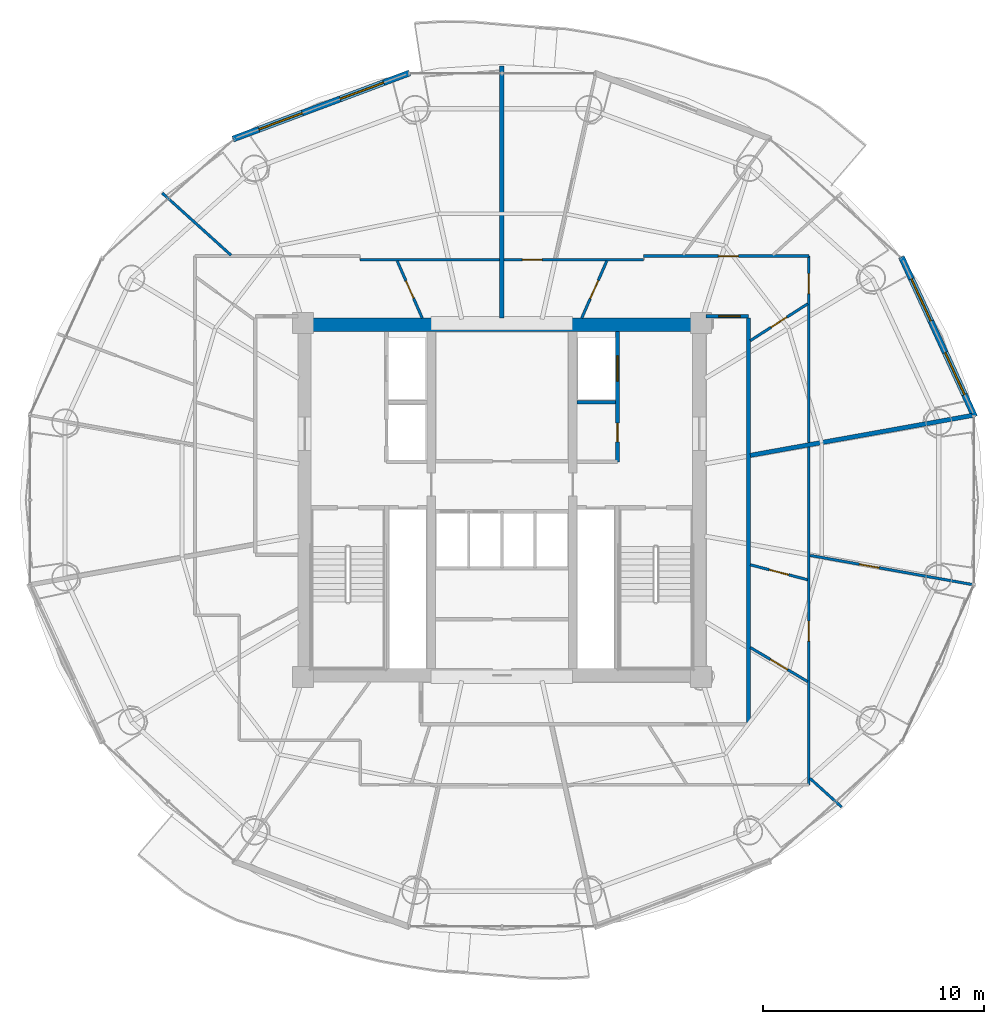
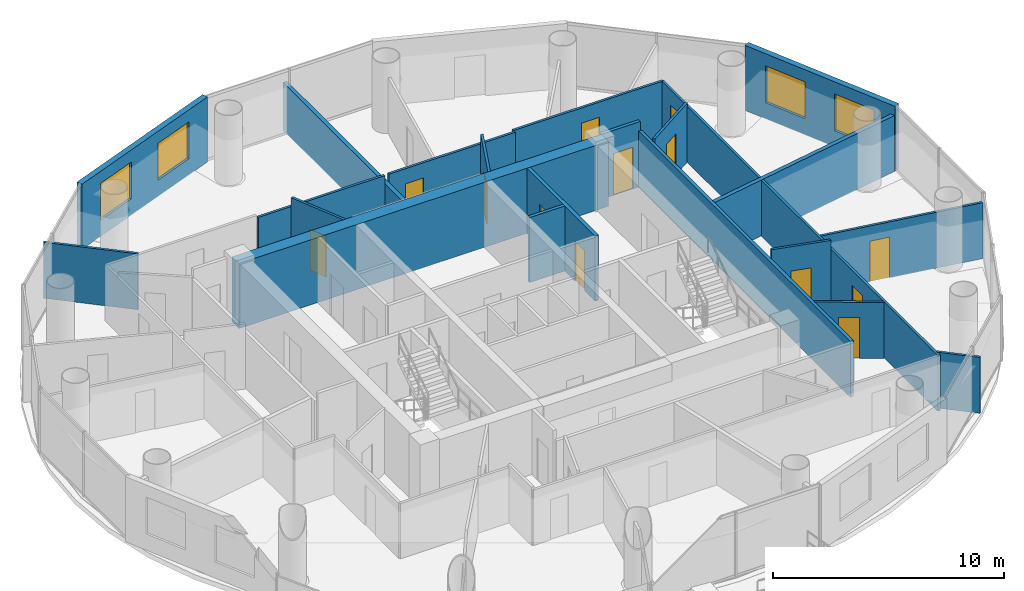
# One storey, part 22 of 27: 22 walls, 13 doors, 4 windows, 17 openings.
"""IFC4 building model written with IfcOpenShell, lengths in metres."""

from ifc_helpers import new_model, si_unit, direction, frame, frame_2d, origin, place, context, subcontext, project, spatial, rectangle, extrude, source, transform, mapped, material, layer, layer_set, type_object, element, fill, save


model = new_model("IFC4")

# Units and contexts
model_context = context("Model", 3, precision=1e-05, world=origin(), true_north=direction((-0.2419218956, 0.970295726276)))
body_context = subcontext(model_context, "Body", "Model", "MODEL_VIEW")
ifc_project = project(units=[si_unit("LENGTHUNIT", "METRE"), si_unit("AREAUNIT", "SQUARE_METRE"), si_unit("VOLUMEUNIT", "CUBIC_METRE"), si_unit("PLANEANGLEUNIT", "RADIAN"), si_unit("MASSUNIT", "GRAM", prefix="KILO")], contexts=[model_context])

# Site, building, storey
site_placement = place(None, origin())
site = spatial("IfcSite", under=ifc_project, at=site_placement, CompositionType="ELEMENT")
building_placement = place(site_placement, origin())
building = spatial("IfcBuilding", under=site, at=building_placement, Name="Cobrevalo Terracotta Tower", CompositionType="ELEMENT")
storey_placement = place(building_placement, frame((0.0, 0.0, 194.89990234375)))
storey = spatial("IfcBuildingStorey", under=building, at=storey_placement, Name="L51", CompositionType="ELEMENT", Elevation=194.89990234375)

# Walls
ifc_material_1 = material(Name="Concrete C55", Category="concrete")
ifc_layer_1 = layer(ifc_material_1, 0.60009765625)
ifc_layer_set_1 = layer_set([ifc_layer_1], Name="Concrete C55")
wall_type_1 = type_object("IfcWallType", Name="Core shear wall 600 mm Concrete C55", PredefinedType="SHEAR", material=ifc_layer_set_1)
wall_1_placement = place(storey_placement, frame((28.77490234375, 34.72509765625, 0.0), z_axis=(0.0, 0.0, 1.0), x_axis=(1.0, 0.0, 0.0)))
element("IfcWall", 1, at=wall_1_placement, inside=storey, type_object=wall_type_1, Name="L51 north core shear wall", PredefinedType="SHEAR", context=body_context, shape_type="SweptSolid", body=[
    extrude(rectangle(XDim=18.4501953125, YDim=0.60009765625, at=frame_2d((9.22509765625, 0.0))), origin(), (0.0, 0.0, 1.0), 3.43505859375),
])
ifc_material_2 = material(Name="Gypsum board on steel stud", Category="steel")
ifc_layer_2 = layer(ifc_material_2, 0.159912109375)
ifc_layer_set_2 = layer_set([ifc_layer_2], Name="Gypsum board on steel stud")
wall_type_2 = type_object("IfcWallType", Name="Fire-rated corridor acoustic partition wall 160 mm", PredefinedType="PARTITIONING", material=ifc_layer_set_2)
wall_2_placement = place(storey_placement, frame((41.389892578125, 31.219970703125, 0.0), z_axis=(0.0, 0.0, 1.0), x_axis=(1.0, 0.0, 0.0)))
element("IfcWall", 2, at=wall_2_placement, inside=storey, type_object=wall_type_2, Name="L51 interior partition IW-L51-FF2-M", PredefinedType="PARTITIONING", context=body_context, shape_type="SweptSolid", body=[
    extrude(rectangle(XDim=1.75, YDim=0.159912109375, at=frame_2d((0.875, 0.0))), origin(), (0.0, 0.0, 1.0), 3.43505859375),
])
wall_3_placement = place(storey_placement, frame((49.155029296875, 16.72509765625, 0.0), z_axis=(0.0, 0.0, 1.0), x_axis=(0.0, 1.0, 0.0)))
element("IfcWall", 3, at=wall_3_placement, inside=storey, type_object=wall_type_2, Name="L51 interior partition IW-L51-COR-E", PredefinedType="PARTITIONING", context=body_context, shape_type="SweptSolid", body=[
    extrude(rectangle(XDim=18.2998046875, YDim=0.159912109375, at=frame_2d((9.14990234375, 0.0))), origin(), (0.0, 0.0, 1.0), 2.951171875),
])

# Wall, opening, door
wall_4_placement = place(storey_placement, frame((47.22509765625, 35.10498046875, 0.0), z_axis=(0.0, 0.0, 1.0), x_axis=(1.0, 0.0, 0.0)))
wall_4 = element("IfcWall", 4, at=wall_4_placement, inside=storey, type_object=wall_type_2, Name="L51 interior partition IW-L51-COR-EN-CAP", PredefinedType="PARTITIONING", context=body_context, shape_type="SweptSolid", body=[
    extrude(rectangle(XDim=1.929931640625, YDim=0.159912109375, at=frame_2d((0.96484375, 0.0))), origin(), (0.0, 0.0, 1.0), 3.43505859375),
])
opening_1_placement = place(wall_4_placement, frame((0.580078125, 0.0, 0.0)))
opening_1 = element("IfcOpeningElement", 5, at=opening_1_placement, cuts=wall_4, Name="Opening ID-05", PredefinedType="OPENING", context=body_context, shape_type="SweptSolid", body=[
    extrude(rectangle(XDim=0.97998046875, YDim=2.199951171875, at=frame_2d((0.489990234375, 1.10009765625))), frame((0.0, 0.08984375, 0.0), z_axis=(0.0, -1.0, 0.0), x_axis=(1.0, 0.0, 0.0)), (0.0, 0.0, 1.0), 0.179931640625),
])
ifc_material_3 = material(Name="Solid hardwood timber", Category="wood")
door_type_1 = type_object("IfcDoorType", Name="Residence entrance fire-rated acoustic timber door 980x2200 EI 60", OperationType="NOTDEFINED", PredefinedType="DOOR", material=ifc_material_3)
shared_shape_1 = source(origin(), body_context, "Body", "SweptSolid", [
    extrude(rectangle(XDim=0.97998046875, YDim=2.199951171875, at=frame_2d((0.489990234375, 1.10009765625))), frame((0.0, 0.02490234375, 0.0), z_axis=(0.0, -1.0, 0.0), x_axis=(1.0, 0.0, 0.0)), (0.0, 0.0, 1.0), 0.050048828125),
])
door_1_placement = place(opening_1_placement, origin())
door_1 = element("IfcDoor", 6, at=door_1_placement, inside=storey, type_object=door_type_1, Name="Flat L51A fire-rated apartment entrance door", OperationType="SINGLE_SWING_RIGHT", OverallHeight=2.199951171875, OverallWidth=0.97998046875, PredefinedType="DOOR", context=body_context, shape_type="MappedRepresentation", body=[
    mapped(shared_shape_1, transform((0.0, 0.0, 0.0), scale=1.0)),
])
fill(opening_1, door_1)

# Wall, openings, doors
ifc_layer_3 = layer(ifc_material_2, 0.179931640625)
ifc_layer_set_3 = layer_set([ifc_layer_3], Name="Gypsum board on steel stud")
wall_type_3 = type_object("IfcWallType", Name="Fire-rated shaft & lobby acoustic partition wall 180 mm", PredefinedType="PARTITIONING", material=ifc_layer_set_3)
wall_5_placement = place(storey_placement, frame((43.22998046875, 28.52001953125, 0.0), z_axis=(0.0, 0.0, 1.0), x_axis=(0.0, 1.0, 0.0)))
wall_5 = element("IfcWall", 7, at=wall_5_placement, inside=storey, type_object=wall_type_3, Name="L51 interior partition IW-L51-FF2-E", PredefinedType="PARTITIONING", context=body_context, shape_type="SweptSolid", body=[
    extrude(rectangle(XDim=5.905029296875, YDim=0.179931640625, at=frame_2d((2.95263671875, 0.0))), origin(), (0.0, 0.0, 1.0), 3.43505859375),
])
opening_2_placement = place(wall_5_placement, frame((0.905029296875, 0.0, 0.0)))
opening_2 = element("IfcOpeningElement", 8, at=opening_2_placement, cuts=wall_5, Name="Opening ID-22", PredefinedType="OPENING", context=body_context, shape_type="SweptSolid", body=[
    extrude(rectangle(XDim=0.85009765625, YDim=2.10009765625, at=frame_2d((0.425048828125, 1.050048828125))), frame((0.0, 0.10009765625, 0.0), z_axis=(0.0, -1.0, 0.0), x_axis=(1.0, 0.0, 0.0)), (0.0, 0.0, 1.0), 0.199951171875),
])
opening_3_placement = place(wall_5_placement, frame((3.655029296875, 0.0, 0.0)))
opening_3 = element("IfcOpeningElement", 9, at=opening_3_placement, cuts=wall_5, Name="Opening LD-02", PredefinedType="OPENING", context=body_context, shape_type="SweptSolid", body=[
    extrude(rectangle(XDim=1.14990234375, YDim=2.199951171875, at=frame_2d((0.574951171875, 1.10009765625))), frame((0.0, 0.10009765625, 0.0), z_axis=(0.0, -1.0, 0.0), x_axis=(1.0, 0.0, 0.0)), (0.0, 0.0, 1.0), 0.199951171875),
])
ifc_material_4 = material(Name="Powder-coated steel", Category="steel")
door_type_2 = type_object("IfcDoorType", Name="Riser shaft & meter closet fire access door 850x2100 EI 60", OperationType="NOTDEFINED", PredefinedType="DOOR", material=ifc_material_4)
shared_shape_2 = source(origin(), body_context, "Body", "SweptSolid", [
    extrude(rectangle(XDim=0.85009765625, YDim=2.10009765625, at=frame_2d((0.425048828125, 1.050048828125))), frame((0.0, 0.02490234375, 0.0), z_axis=(0.0, -1.0, 0.0), x_axis=(1.0, 0.0, 0.0)), (0.0, 0.0, 1.0), 0.050048828125),
])
door_2_placement = place(opening_2_placement, frame((0.85009765625, 0.0, 0.0), z_axis=(0.0, 0.0, 1.0), x_axis=(-1.0, 0.0, 0.0)))
door_2 = element("IfcDoor", 10, at=door_2_placement, inside=storey, type_object=door_type_2, Name="L51 housekeeping store door", OperationType="SINGLE_SWING_RIGHT", OverallHeight=2.10009765625, OverallWidth=0.85009765625, PredefinedType="DOOR", context=body_context, shape_type="MappedRepresentation", body=[
    mapped(shared_shape_2, transform((0.0, 0.0, 0.0), scale=1.0)),
])
fill(opening_2, door_2)
ifc_material_5 = material(Name="Brushed stainless steel", Category="steel")
door_type_3 = type_object("IfcDoorType", Name="Firefighting lift landing bi-parting sliding door 1150x2200 EI 120", OperationType="DOUBLE_DOOR_SLIDING", PredefinedType="DOOR", material=ifc_material_5)
shared_shape_3 = source(origin(), body_context, "Body", "SweptSolid", [
    extrude(rectangle(XDim=1.14990234375, YDim=2.199951171875, at=frame_2d((0.574951171875, 1.10009765625))), frame((0.0, 0.02490234375, 0.0), z_axis=(0.0, -1.0, 0.0), x_axis=(1.0, 0.0, 0.0)), (0.0, 0.0, 1.0), 0.050048828125),
])
door_3_placement = place(opening_3_placement, origin())
door_3 = element("IfcDoor", 11, at=door_3_placement, inside=storey, type_object=door_type_3, Name="L51 lift landing door FF-2", OperationType="DOUBLE_DOOR_SLIDING", OverallHeight=2.199951171875, OverallWidth=1.14990234375, PredefinedType="DOOR", context=body_context, shape_type="MappedRepresentation", body=[
    mapped(shared_shape_3, transform((0.0, 0.0, 0.0), scale=1.0)),
])
fill(opening_3, door_3)

# Walls
ifc_material_6 = material(Name="Autoclaved aerated concrete block", Category="concrete")
ifc_layer_4 = layer(ifc_material_6, 0.199951171875)
ifc_layer_set_4 = layer_set([ifc_layer_4], Name="Autoclaved aerated concrete block")
wall_type_4 = type_object("IfcWallType", Name="Fire-rated stair, shaft & demising masonry wall 200 mm", PredefinedType="PARTITIONING", material=ifc_layer_set_4)
wall_6_placement = place(storey_placement, frame((49.237060546875, 28.81982421875, 0.0), z_axis=(0.0, 0.0, 1.0), x_axis=(0.984224859606, 0.176922089446, 0.0)))
element("IfcWall", 12, at=wall_6_placement, inside=storey, type_object=wall_type_4, Name="L51 interior partition IW-L51-DEM-1", PredefinedType="PARTITIONING", context=body_context, shape_type="SweptSolid", body=[
    extrude(rectangle(XDim=10.200439453125, YDim=0.199951171875, at=frame_2d((5.10009765625, 0.0))), origin(), (0.0, 0.0, 1.0), 2.951171875),
])
wall_7_placement = place(storey_placement, frame((38.0, 35.027099609375, 0.0), z_axis=(0.0, 0.0, 1.0), x_axis=(0.0, 1.0, 0.0)))
element("IfcWall", 13, at=wall_7_placement, inside=storey, type_object=wall_type_4, Name="L51 interior partition IW-L51-DEM-2", PredefinedType="PARTITIONING", context=body_context, shape_type="SweptSolid", body=[
    extrude(rectangle(XDim=11.412841796875, YDim=0.199951171875, at=frame_2d((5.70654296875, 0.0))), origin(), (0.0, 0.0, 1.0), 2.52001953125),
])

# Wall, openings, windows
ifc_layer_5 = layer(ifc_material_6, 0.280029296875)
ifc_layer_set_5 = layer_set([ifc_layer_5], Name="Autoclaved aerated concrete block")
wall_type_5 = type_object("IfcWallType", Name="Insulated tower spandrel & pier wall 280 mm with terracotta rainscreen", PredefinedType="SOLIDWALL", material=ifc_layer_set_5)
wall_8_placement = place(storey_placement, frame((59.385009765625, 30.564697265625, 0.0), z_axis=(0.0, 0.0, 1.0), x_axis=(-0.416717018135, 0.909036262641, 0.0)))
wall_8 = element("IfcWall", 14, at=wall_8_placement, inside=storey, type_object=wall_type_5, Name="L51 terracotta rainscreen pier wall S01", PredefinedType="SOLIDWALL", context=body_context, shape_type="SweptSolid", body=[
    extrude(rectangle(XDim=7.960205078125, YDim=0.280029296875, at=frame_2d((3.97998046875, 0.0))), origin(), (0.0, 0.0, 1.0), 3.43505859375),
])
opening_4_placement = place(wall_8_placement, frame((1.099365234375, 0.0, 0.85009765625)))
opening_4 = element("IfcOpeningElement", 15, at=opening_4_placement, cuts=wall_8, Name="Opening WN-10", PredefinedType="OPENING", context=body_context, shape_type="SweptSolid", body=[
    extrude(rectangle(XDim=2.10009765625, YDim=1.949951171875, at=frame_2d((1.050048828125, 0.97509765625))), frame((0.0, 0.14990234375, 0.0), z_axis=(0.0, -1.0, 0.0), x_axis=(1.0, 0.0, 0.0)), (0.0, 0.0, 1.0), 0.300048828125),
])
opening_5_placement = place(wall_8_placement, frame((4.760986328125, 0.0, 0.85009765625)))
opening_5 = element("IfcOpeningElement", 16, at=opening_5_placement, cuts=wall_8, Name="Opening WN-10", PredefinedType="OPENING", context=body_context, shape_type="SweptSolid", body=[
    extrude(rectangle(XDim=2.10009765625, YDim=1.949951171875, at=frame_2d((1.050048828125, 0.97509765625))), frame((0.0, 0.14990234375, 0.0), z_axis=(0.0, -1.0, 0.0), x_axis=(1.0, 0.0, 0.0)), (0.0, 0.0, 1.0), 0.300048828125),
])
ifc_material_7 = material(Name="Solar-control low-E double glazing", Category="glass")
window_type = type_object("IfcWindowType", Name="Wide panoramic low-E aluminium window 2100x1950", PartitioningType="SINGLE_PANEL", PredefinedType="WINDOW", material=ifc_material_7)
shared_shape_4 = source(origin(), body_context, "Body", "SweptSolid", [
    extrude(rectangle(XDim=2.10009765625, YDim=1.949951171875, at=frame_2d((1.050048828125, 0.97509765625))), frame((0.0, 0.030029296875, 0.0), z_axis=(0.0, -1.0, 0.0), x_axis=(1.0, 0.0, 0.0)), (0.0, 0.0, 1.0), 0.06005859375),
])
window_1_placement = place(opening_4_placement, origin())
window_1 = element("IfcWindow", 17, at=window_1_placement, inside=storey, type_object=window_type, Name="L51 suite window S01A", OverallHeight=1.949951171875, OverallWidth=2.10009765625, PartitioningType="SINGLE_PANEL", PredefinedType="WINDOW", context=body_context, shape_type="MappedRepresentation", body=[
    mapped(shared_shape_4, transform((0.0, 0.0, 0.0), scale=1.0)),
])
fill(opening_4, window_1)
window_2_placement = place(opening_5_placement, origin())
window_2 = element("IfcWindow", 18, at=window_2_placement, inside=storey, type_object=window_type, Name="L51 suite window S01B", OverallHeight=1.949951171875, OverallWidth=2.10009765625, PartitioningType="SINGLE_PANEL", PredefinedType="WINDOW", context=body_context, shape_type="MappedRepresentation", body=[
    mapped(shared_shape_4, transform((0.0, 0.0, 0.0), scale=1.0)),
])
fill(opening_5, window_2)

wall_9_placement = place(storey_placement, frame((33.827880859375, 46.1201171875, 0.0), z_axis=(0.0, 0.0, 1.0), x_axis=(-0.936556918375, -0.350515532672, 0.0)))
wall_9 = element("IfcWall", 19, at=wall_9_placement, inside=storey, type_object=wall_type_5, Name="L51 terracotta rainscreen pier wall S05", PredefinedType="SOLIDWALL", context=body_context, shape_type="SweptSolid", body=[
    extrude(rectangle(XDim=8.539306640625, YDim=0.280029296875, at=frame_2d((4.26953125, 0.0))), origin(), (0.0, 0.0, 1.0), 3.43505859375),
])
opening_6_placement = place(wall_9_placement, frame((1.255615234375, 0.0, 0.85009765625)))
opening_6 = element("IfcOpeningElement", 20, at=opening_6_placement, cuts=wall_9, Name="Opening WN-10", PredefinedType="OPENING", context=body_context, shape_type="SweptSolid", body=[
    extrude(rectangle(XDim=2.10009765625, YDim=1.949951171875, at=frame_2d((1.050048828125, 0.97509765625))), frame((0.0, 0.14990234375, 0.0), z_axis=(0.0, -1.0, 0.0), x_axis=(1.0, 0.0, 0.0)), (0.0, 0.0, 1.0), 0.300048828125),
])
opening_7_placement = place(wall_9_placement, frame((5.18359375, 0.0, 0.85009765625)))
opening_7 = element("IfcOpeningElement", 21, at=opening_7_placement, cuts=wall_9, Name="Opening WN-10", PredefinedType="OPENING", context=body_context, shape_type="SweptSolid", body=[
    extrude(rectangle(XDim=2.10009765625, YDim=1.949951171875, at=frame_2d((1.050048828125, 0.97509765625))), frame((0.0, 0.14990234375, 0.0), z_axis=(0.0, -1.0, 0.0), x_axis=(1.0, 0.0, 0.0)), (0.0, 0.0, 1.0), 0.300048828125),
])
window_3_placement = place(opening_6_placement, origin())
window_3 = element("IfcWindow", 22, at=window_3_placement, inside=storey, type_object=window_type, Name="L51 suite window S05A", OverallHeight=1.949951171875, OverallWidth=2.10009765625, PartitioningType="SINGLE_PANEL", PredefinedType="WINDOW", context=body_context, shape_type="MappedRepresentation", body=[
    mapped(shared_shape_4, transform((0.0, 0.0, 0.0), scale=1.0)),
])
fill(opening_6, window_3)
window_4_placement = place(opening_7_placement, origin())
window_4 = element("IfcWindow", 23, at=window_4_placement, inside=storey, type_object=window_type, Name="L51 suite window S05B", OverallHeight=1.949951171875, OverallWidth=2.10009765625, PartitioningType="SINGLE_PANEL", PredefinedType="WINDOW", context=body_context, shape_type="MappedRepresentation", body=[
    mapped(shared_shape_4, transform((0.0, 0.0, 0.0), scale=1.0)),
])
fill(opening_7, window_4)

# Wall, opening, door
ifc_layer_6 = layer(ifc_material_2, 0.1201171875)
ifc_layer_set_6 = layer_set([ifc_layer_6], Name="Gypsum board on steel stud")
wall_type_6 = type_object("IfcWallType", Name="Residential internal acoustic stud partition 120 mm", PredefinedType="PARTITIONING", material=ifc_layer_set_6)
wall_10_placement = place(storey_placement, frame((38.10205078125, 37.675048828125, 0.0), z_axis=(0.0, 0.0, 1.0), x_axis=(1.0, 0.0, 0.0)))
wall_10 = element("IfcWall", 24, at=wall_10_placement, inside=storey, type_object=wall_type_6, Name="L51 interior partition IW-L51-U1-RING0_0", PredefinedType="PARTITIONING", context=body_context, shape_type="SweptSolid", body=[
    extrude(rectangle(XDim=6.31298828125, YDim=0.1201171875, at=frame_2d((3.156494140625, 0.0))), origin(), (0.0, 0.0, 1.0), 2.951171875),
])
opening_8_placement = place(wall_10_placement, frame((0.81884765625, 0.0, 0.0)))
opening_8 = element("IfcOpeningElement", 25, at=opening_8_placement, cuts=wall_10, Name="Opening ID-12", PredefinedType="OPENING", context=body_context, shape_type="SweptSolid", body=[
    extrude(rectangle(XDim=0.89990234375, YDim=2.14990234375, at=frame_2d((0.449951171875, 1.074951171875))), frame((0.0, 0.070068359375, 0.0), z_axis=(0.0, -1.0, 0.0), x_axis=(1.0, 0.0, 0.0)), (0.0, 0.0, 1.0), 0.14013671875),
])
ifc_material_8 = material(Name="Engineered timber", Category="wood")
door_type_4 = type_object("IfcDoorType", Name="Internal residence & suite timber door 900x2150", OperationType="NOTDEFINED", PredefinedType="DOOR", material=ifc_material_8)
shared_shape_5 = source(origin(), body_context, "Body", "SweptSolid", [
    extrude(rectangle(XDim=0.89990234375, YDim=2.14990234375, at=frame_2d((0.449951171875, 1.074951171875))), frame((0.0, 0.02490234375, 0.0), z_axis=(0.0, -1.0, 0.0), x_axis=(1.0, 0.0, 0.0)), (0.0, 0.0, 1.0), 0.050048828125),
])
door_4_placement = place(opening_8_placement, origin())
door_4 = element("IfcDoor", 26, at=door_4_placement, inside=storey, type_object=door_type_4, Name="Flat L51A Penthouse Family Lounge internal door", OperationType="SINGLE_SWING_RIGHT", OverallHeight=2.14990234375, OverallWidth=0.89990234375, PredefinedType="DOOR", context=body_context, shape_type="MappedRepresentation", body=[
    mapped(shared_shape_5, transform((0.0, 0.0, 0.0), scale=1.0)),
])
fill(opening_8, door_4)

wall_11_placement = place(storey_placement, frame((44.4150390625, 37.8349609375, 0.0), z_axis=(0.0, 0.0, 1.0), x_axis=(1.0, 0.0, 0.0)))
wall_11 = element("IfcWall", 27, at=wall_11_placement, inside=storey, type_object=wall_type_6, Name="L51 interior partition IW-L51-U1-RING2_0", PredefinedType="PARTITIONING", context=body_context, shape_type="SweptSolid", body=[
    extrude(rectangle(XDim=7.469970703125, YDim=0.1201171875, at=frame_2d((3.73486328125, 0.0))), origin(), (0.0, 0.0, 1.0), 2.951171875),
])
opening_9_placement = place(wall_11_placement, frame((3.37939453125, 0.0, 0.0)))
opening_9 = element("IfcOpeningElement", 28, at=opening_9_placement, cuts=wall_11, Name="Opening ID-12", PredefinedType="OPENING", context=body_context, shape_type="SweptSolid", body=[
    extrude(rectangle(XDim=0.89990234375, YDim=2.14990234375, at=frame_2d((0.449951171875, 1.074951171875))), frame((0.0, 0.070068359375, 0.0), z_axis=(0.0, -1.0, 0.0), x_axis=(1.0, 0.0, 0.0)), (0.0, 0.0, 1.0), 0.14013671875),
])
door_5_placement = place(opening_9_placement, origin())
door_5 = element("IfcDoor", 29, at=door_5_placement, inside=storey, type_object=door_type_4, Name="Flat L51A Master Bedroom internal door", OperationType="SINGLE_SWING_LEFT", OverallHeight=2.14990234375, OverallWidth=0.89990234375, PredefinedType="DOOR", context=body_context, shape_type="MappedRepresentation", body=[
    mapped(shared_shape_5, transform((0.0, 0.0, 0.0), scale=1.0)),
])
fill(opening_9, door_5)

wall_12_placement = place(storey_placement, frame((51.885009765625, 37.8349609375, 0.0), z_axis=(0.0, 0.0, 1.0), x_axis=(0.0, -1.0, 0.0)))
wall_12 = element("IfcWall", 30, at=wall_12_placement, inside=storey, type_object=wall_type_6, Name="L51 interior partition IW-L51-U1-RING3_0", PredefinedType="PARTITIONING", context=body_context, shape_type="SweptSolid", body=[
    extrude(rectangle(XDim=8.43701171875, YDim=0.1201171875, at=frame_2d((4.218505859375, 0.0))), origin(), (0.0, 0.0, 1.0), 2.951171875),
])
opening_10_placement = place(wall_12_placement, frame((0.7958984375, 0.0, 0.0)))
opening_10 = element("IfcOpeningElement", 31, at=opening_10_placement, cuts=wall_12, Name="Opening ID-12", PredefinedType="OPENING", context=body_context, shape_type="SweptSolid", body=[
    extrude(rectangle(XDim=0.89990234375, YDim=2.14990234375, at=frame_2d((0.449951171875, 1.074951171875))), frame((0.0, 0.070068359375, 0.0), z_axis=(0.0, -1.0, 0.0), x_axis=(1.0, 0.0, 0.0)), (0.0, 0.0, 1.0), 0.14013671875),
])
door_6_placement = place(opening_10_placement, origin())
door_6 = element("IfcDoor", 32, at=door_6_placement, inside=storey, type_object=door_type_4, Name="Flat L51A Living and Dining Room internal door", OperationType="SINGLE_SWING_RIGHT", OverallHeight=2.14990234375, OverallWidth=0.89990234375, PredefinedType="DOOR", context=body_context, shape_type="MappedRepresentation", body=[
    mapped(shared_shape_5, transform((0.0, 0.0, 0.0), scale=1.0)),
])
fill(opening_10, door_6)

wall_13_placement = place(storey_placement, frame((49.236572265625, 34.00927734375, 0.0), z_axis=(0.0, 0.0, 1.0), x_axis=(0.841651322174, 0.540021343915, 0.0)))
wall_13 = element("IfcWall", 33, at=wall_13_placement, inside=storey, type_object=wall_type_6, Name="L51 interior partition IW-L51-U1-IRAD1", PredefinedType="PARTITIONING", context=body_context, shape_type="SweptSolid", body=[
    extrude(rectangle(XDim=3.084716796875, YDim=0.1201171875, at=frame_2d((1.54248046875, 0.0))), origin(), (0.0, 0.0, 1.0), 3.110107421875),
])
opening_11_placement = place(wall_13_placement, frame((1.1123046875, 0.0, 0.0)))
opening_11 = element("IfcOpeningElement", 34, at=opening_11_placement, cuts=wall_13, Name="Opening ID-19", PredefinedType="OPENING", context=body_context, shape_type="SweptSolid", body=[
    extrude(rectangle(XDim=0.860107421875, YDim=2.14990234375, at=frame_2d((0.43017578125, 1.074951171875))), frame((0.0, 0.070068359375, 0.0), z_axis=(0.0, -1.0, 0.0), x_axis=(1.0, 0.0, 0.0)), (0.0, 0.0, 1.0), 0.14013671875),
])
ifc_material_9 = material(Name="Moisture-sealed timber", Category="wood")
door_type_5 = type_object("IfcDoorType", Name="Suite bathroom internal timber door 860x2150", OperationType="NOTDEFINED", PredefinedType="DOOR", material=ifc_material_9)
shared_shape_6 = source(origin(), body_context, "Body", "SweptSolid", [
    extrude(rectangle(XDim=0.860107421875, YDim=2.14990234375, at=frame_2d((0.43017578125, 1.074951171875))), frame((0.0, 0.02490234375, 0.0), z_axis=(0.0, -1.0, 0.0), x_axis=(1.0, 0.0, 0.0)), (0.0, 0.0, 1.0), 0.050048828125),
])
door_7_placement = place(opening_11_placement, frame((0.860107421875, 0.0, 0.0), z_axis=(0.0, 0.0, 1.0), x_axis=(-1.0, 0.0, 0.0)))
door_7 = element("IfcDoor", 35, at=door_7_placement, inside=storey, type_object=door_type_5, Name="Flat L51A Primary Bathroom internal door", OperationType="SINGLE_SWING_LEFT", OverallHeight=2.14990234375, OverallWidth=0.860107421875, PredefinedType="DOOR", context=body_context, shape_type="MappedRepresentation", body=[
    mapped(shared_shape_6, transform((0.0, 0.0, 0.0), scale=1.0)),
])
fill(opening_11, door_7)

wall_14_placement = place(storey_placement, frame((41.609619140625, 35.02685546875, 0.0), z_axis=(0.0, 0.0, 1.0), x_axis=(0.401859508224, 0.915701335398, 0.0)))
wall_14 = element("IfcWall", 36, at=wall_14_placement, inside=storey, type_object=wall_type_6, Name="L51 interior partition IW-L51-U1-IRAD2", PredefinedType="PARTITIONING", context=body_context, shape_type="SweptSolid", body=[
    extrude(rectangle(XDim=2.829833984375, YDim=0.1201171875, at=frame_2d((1.4150390625, 0.0))), origin(), (0.0, 0.0, 1.0), 3.43505859375),
])
opening_12_placement = place(wall_14_placement, frame((0.96484375, 0.0, 0.0)))
opening_12 = element("IfcOpeningElement", 37, at=opening_12_placement, cuts=wall_14, Name="Opening ID-12", PredefinedType="OPENING", context=body_context, shape_type="SweptSolid", body=[
    extrude(rectangle(XDim=0.89990234375, YDim=2.14990234375, at=frame_2d((0.449951171875, 1.074951171875))), frame((0.0, 0.070068359375, 0.0), z_axis=(0.0, -1.0, 0.0), x_axis=(1.0, 0.0, 0.0)), (0.0, 0.0, 1.0), 0.14013671875),
])
door_8_placement = place(opening_12_placement, origin())
door_8 = element("IfcDoor", 38, at=door_8_placement, inside=storey, type_object=door_type_4, Name="Flat L51A Kitchen internal door", OperationType="SINGLE_SWING_LEFT", OverallHeight=2.14990234375, OverallWidth=0.89990234375, PredefinedType="DOOR", context=body_context, shape_type="MappedRepresentation", body=[
    mapped(shared_shape_5, transform((0.0, 0.0, 0.0), scale=1.0)),
])
fill(opening_12, door_8)

# Walls
wall_15_placement = place(storey_placement, frame((31.5849609375, 37.675048828125, 0.0), z_axis=(0.0, 0.0, 1.0), x_axis=(1.0, 0.0, 0.0)))
element("IfcWall", 39, at=wall_15_placement, inside=storey, type_object=wall_type_6, Name="L51 interior partition IW-L51-U2-RING3_0", PredefinedType="PARTITIONING", context=body_context, shape_type="SweptSolid", body=[
    extrude(rectangle(XDim=6.31298828125, YDim=0.1201171875, at=frame_2d((3.156494140625, 0.0))), origin(), (0.0, 0.0, 1.0), 2.951171875),
])
wall_16_placement = place(storey_placement, frame((25.74267578125, 37.87646484375, 0.0), z_axis=(0.0, 0.0, 1.0), x_axis=(-0.741943837234, 0.670462036502, 0.0)))
element("IfcWall", 40, at=wall_16_placement, inside=storey, type_object=wall_type_6, Name="L51 interior partition IW-L51-U2-ORAD1", PredefinedType="PARTITIONING", context=body_context, shape_type="SweptSolid", body=[
    extrude(rectangle(XDim=4.194091796875, YDim=0.1201171875, at=frame_2d((2.09716796875, 0.0))), origin(), (0.0, 0.0, 1.0), 2.951171875),
])

# Wall, opening, door
wall_17_placement = place(storey_placement, frame((34.3974609375, 35.02685546875, 0.0), z_axis=(0.0, 0.0, 1.0), x_axis=(-0.401135725485, 0.916018629581, 0.0)))
wall_17 = element("IfcWall", 41, at=wall_17_placement, inside=storey, type_object=wall_type_6, Name="L51 interior partition IW-L51-U2-IRAD1", PredefinedType="PARTITIONING", context=body_context, shape_type="SweptSolid", body=[
    extrude(rectangle(XDim=2.828857421875, YDim=0.1201171875, at=frame_2d((1.41455078125, 0.0))), origin(), (0.0, 0.0, 1.0), 3.43505859375),
])
opening_13_placement = place(wall_17_placement, frame((0.984619140625, 0.0, 0.0)))
opening_13 = element("IfcOpeningElement", 42, at=opening_13_placement, cuts=wall_17, Name="Opening ID-19", PredefinedType="OPENING", context=body_context, shape_type="SweptSolid", body=[
    extrude(rectangle(XDim=0.860107421875, YDim=2.14990234375, at=frame_2d((0.43017578125, 1.074951171875))), frame((0.0, 0.070068359375, 0.0), z_axis=(0.0, -1.0, 0.0), x_axis=(1.0, 0.0, 0.0)), (0.0, 0.0, 1.0), 0.14013671875),
])
door_9_placement = place(opening_13_placement, frame((0.860107421875, 0.0, 0.0), z_axis=(0.0, 0.0, 1.0), x_axis=(-1.0, 0.0, 0.0)))
door_9 = element("IfcDoor", 43, at=door_9_placement, inside=storey, type_object=door_type_5, Name="Flat L51B Primary Bathroom internal door", OperationType="SINGLE_SWING_RIGHT", OverallHeight=2.14990234375, OverallWidth=0.860107421875, PredefinedType="DOOR", context=body_context, shape_type="MappedRepresentation", body=[
    mapped(shared_shape_6, transform((0.0, 0.0, 0.0), scale=1.0)),
])
fill(opening_13, door_9)

wall_18_placement = place(storey_placement, frame((51.885009765625, 29.19384765625, 0.0), z_axis=(0.0, 0.0, 1.0), x_axis=(0.0, -1.0, 0.0)))
wall_18 = element("IfcWall", 44, at=wall_18_placement, inside=storey, type_object=wall_type_6, Name="L51 interior partition IW-L51-U4-RING0_0", PredefinedType="PARTITIONING", context=body_context, shape_type="SweptSolid", body=[
    extrude(rectangle(XDim=15.27880859375, YDim=0.1201171875, at=frame_2d((7.639404296875, 0.0))), origin(), (0.0, 0.0, 1.0), 2.951171875),
])
opening_14_placement = place(wall_18_placement, frame((7.873291015625, 0.0, 0.0)))
opening_14 = element("IfcOpeningElement", 45, at=opening_14_placement, cuts=wall_18, Name="Opening ID-12", PredefinedType="OPENING", context=body_context, shape_type="SweptSolid", body=[
    extrude(rectangle(XDim=0.89990234375, YDim=2.14990234375, at=frame_2d((0.449951171875, 1.074951171875))), frame((0.0, 0.070068359375, 0.0), z_axis=(0.0, -1.0, 0.0), x_axis=(1.0, 0.0, 0.0)), (0.0, 0.0, 1.0), 0.14013671875),
])
door_10_placement = place(opening_14_placement, origin())
door_10 = element("IfcDoor", 46, at=door_10_placement, inside=storey, type_object=door_type_4, Name="Flat L51D Master Bedroom internal door", OperationType="SINGLE_SWING_LEFT", OverallHeight=2.14990234375, OverallWidth=0.89990234375, PredefinedType="DOOR", context=body_context, shape_type="MappedRepresentation", body=[
    mapped(shared_shape_5, transform((0.0, 0.0, 0.0), scale=1.0)),
])
fill(opening_14, door_10)

# Wall
wall_19_placement = place(storey_placement, frame((51.930908203125, 14.2109375, 0.0), z_axis=(0.0, 0.0, 1.0), x_axis=(0.741971265209, -0.670431683026, 0.0)))
element("IfcWall", 47, at=wall_19_placement, inside=storey, type_object=wall_type_6, Name="L51 interior partition IW-L51-U4-ORAD1", PredefinedType="PARTITIONING", context=body_context, shape_type="SweptSolid", body=[
    extrude(rectangle(XDim=1.9384765625, YDim=0.1201171875, at=frame_2d((0.96923828125, 0.0))), origin(), (0.0, 0.0, 1.0), 2.951171875),
])

# Wall, opening, door
wall_20_placement = place(storey_placement, frame((51.946044921875, 24.293212890625, 0.0), z_axis=(0.0, 0.0, 1.0), x_axis=(0.984227185588, -0.176909149424, 0.0)))
wall_20 = element("IfcWall", 48, at=wall_20_placement, inside=storey, type_object=wall_type_6, Name="L51 interior partition IW-L51-U4-ORAD2", PredefinedType="PARTITIONING", context=body_context, shape_type="SweptSolid", body=[
    extrude(rectangle(XDim=7.447998046875, YDim=0.1201171875, at=frame_2d((3.72412109375, 0.0))), origin(), (0.0, 0.0, 1.0), 2.951171875),
])
opening_15_placement = place(wall_20_placement, frame((2.263916015625, 0.0, 0.0)))
opening_15 = element("IfcOpeningElement", 49, at=opening_15_placement, cuts=wall_20, Name="Opening ID-12", PredefinedType="OPENING", context=body_context, shape_type="SweptSolid", body=[
    extrude(rectangle(XDim=0.89990234375, YDim=2.14990234375, at=frame_2d((0.449951171875, 1.074951171875))), frame((0.0, 0.070068359375, 0.0), z_axis=(0.0, -1.0, 0.0), x_axis=(1.0, 0.0, 0.0)), (0.0, 0.0, 1.0), 0.14013671875),
])
door_11_placement = place(opening_15_placement, origin())
door_11 = element("IfcDoor", 50, at=door_11_placement, inside=storey, type_object=door_type_4, Name="Flat L51D Principal Guest Bedroom internal door", OperationType="SINGLE_SWING_RIGHT", OverallHeight=2.14990234375, OverallWidth=0.89990234375, PredefinedType="DOOR", context=body_context, shape_type="MappedRepresentation", body=[
    mapped(shared_shape_5, transform((0.0, 0.0, 0.0), scale=1.0)),
])
fill(opening_15, door_11)

wall_21_placement = place(storey_placement, frame((49.23681640625, 20.127685546875, 0.0), z_axis=(0.0, 0.0, 1.0), x_axis=(0.859818120481, -0.510600430565, 0.0)))
wall_21 = element("IfcWall", 51, at=wall_21_placement, inside=storey, type_object=wall_type_6, Name="L51 interior partition IW-L51-U4-IRAD2", PredefinedType="PARTITIONING", context=body_context, shape_type="SweptSolid", body=[
    extrude(rectangle(XDim=3.01806640625, YDim=0.1201171875, at=frame_2d((1.509033203125, 0.0))), origin(), (0.0, 0.0, 1.0), 2.951171875),
])
opening_16_placement = place(wall_21_placement, frame((1.05908203125, 0.0, 0.0)))
opening_16 = element("IfcOpeningElement", 52, at=opening_16_placement, cuts=wall_21, Name="Opening ID-12", PredefinedType="OPENING", context=body_context, shape_type="SweptSolid", body=[
    extrude(rectangle(XDim=0.89990234375, YDim=2.14990234375, at=frame_2d((0.449951171875, 1.074951171875))), frame((0.0, 0.070068359375, 0.0), z_axis=(0.0, -1.0, 0.0), x_axis=(1.0, 0.0, 0.0)), (0.0, 0.0, 1.0), 0.14013671875),
])
door_12_placement = place(opening_16_placement, origin())
door_12 = element("IfcDoor", 53, at=door_12_placement, inside=storey, type_object=door_type_4, Name="Flat L51D Kitchen internal door", OperationType="SINGLE_SWING_LEFT", OverallHeight=2.14990234375, OverallWidth=0.89990234375, PredefinedType="DOOR", context=body_context, shape_type="MappedRepresentation", body=[
    mapped(shared_shape_5, transform((0.0, 0.0, 0.0), scale=1.0)),
])
fill(opening_16, door_12)

wall_22_placement = place(storey_placement, frame((49.237060546875, 23.868408203125, 0.0), z_axis=(0.0, 0.0, 1.0), x_axis=(0.967622119215, -0.252403316946, 0.0)))
wall_22 = element("IfcWall", 54, at=wall_22_placement, inside=storey, type_object=wall_type_6, Name="L51 interior partition IW-L51-U4-IRAD3", PredefinedType="PARTITIONING", context=body_context, shape_type="SweptSolid", body=[
    extrude(rectangle(XDim=2.674560546875, YDim=0.1201171875, at=frame_2d((1.33740234375, 0.0))), origin(), (0.0, 0.0, 1.0), 3.43505859375),
])
opening_17_placement = place(wall_22_placement, frame((0.88720703125, 0.0, 0.0)))
opening_17 = element("IfcOpeningElement", 55, at=opening_17_placement, cuts=wall_22, Name="Opening ID-12", PredefinedType="OPENING", context=body_context, shape_type="SweptSolid", body=[
    extrude(rectangle(XDim=0.89990234375, YDim=2.14990234375, at=frame_2d((0.449951171875, 1.074951171875))), frame((0.0, 0.070068359375, 0.0), z_axis=(0.0, -1.0, 0.0), x_axis=(1.0, 0.0, 0.0)), (0.0, 0.0, 1.0), 0.14013671875),
])
door_13_placement = place(opening_17_placement, origin())
door_13 = element("IfcDoor", 56, at=door_13_placement, inside=storey, type_object=door_type_4, Name="Flat L51D Home Office Study internal door", OperationType="SINGLE_SWING_RIGHT", OverallHeight=2.14990234375, OverallWidth=0.89990234375, PredefinedType="DOOR", context=body_context, shape_type="MappedRepresentation", body=[
    mapped(shared_shape_5, transform((0.0, 0.0, 0.0), scale=1.0)),
])
fill(opening_17, door_13)

save(model, "model.ifc")
